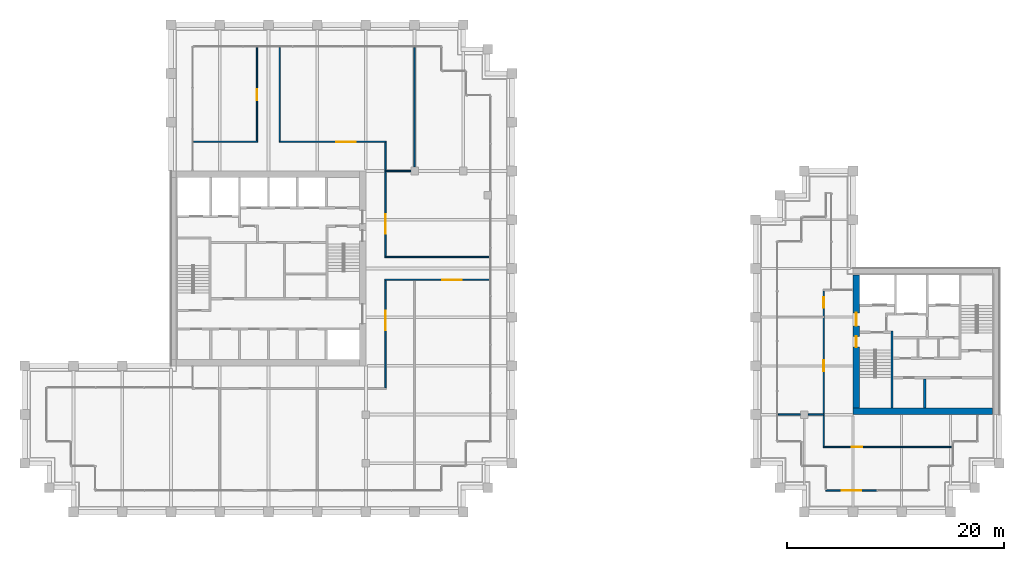
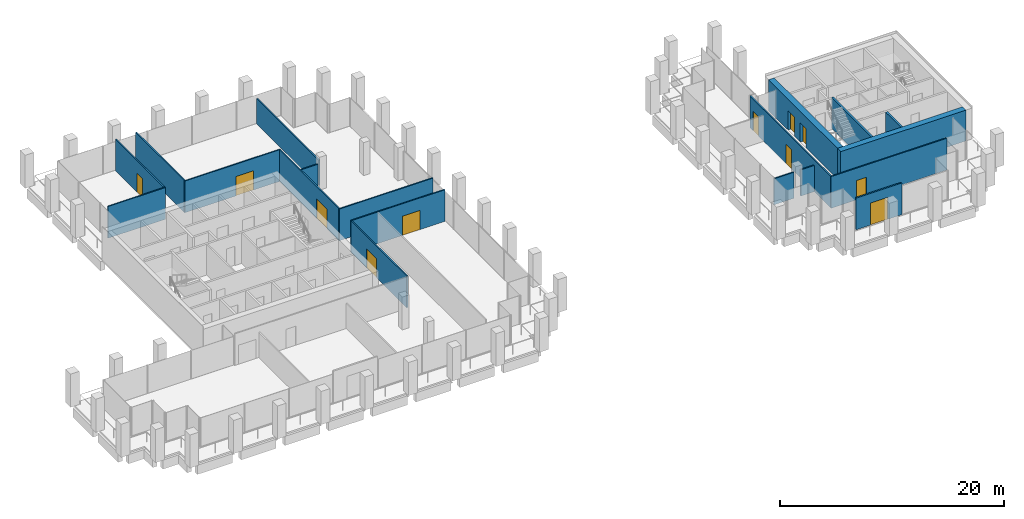
# One storey, part 37 of 40: 19 walls, 11 doors, 11 openings.
"""IFC4 building model written with IfcOpenShell, lengths in metres."""

from ifc_helpers import new_model, si_unit, direction, frame, frame_2d, origin, place, context, subcontext, project, spatial, rectangle, extrude, material, layer, layer_set, type_object, element, fill, save


model = new_model("IFC4")

# Units and contexts
model_context = context("Model", 3, precision=1e-05, world=origin(), true_north=direction((0.0, 1.0)))
body_context = subcontext(model_context, "Body", "Model", "MODEL_VIEW")
ifc_project = project(units=[si_unit("LENGTHUNIT", "METRE"), si_unit("AREAUNIT", "SQUARE_METRE"), si_unit("VOLUMEUNIT", "CUBIC_METRE"), si_unit("PLANEANGLEUNIT", "RADIAN"), si_unit("MASSUNIT", "GRAM", prefix="KILO")], contexts=[model_context])

# Site, building, storey
site_placement = place(None, origin())
site = spatial("IfcSite", under=ifc_project, at=site_placement, CompositionType="ELEMENT")
building_placement = place(site_placement, origin())
building = spatial("IfcBuilding", under=site, at=building_placement, Name="Altepetl Exchange Towers", CompositionType="ELEMENT")
storey_placement = place(building_placement, frame((0.0, 0.0, 161.800048828125)))
storey = spatial("IfcBuildingStorey", under=building, at=storey_placement, Name="L40", CompositionType="ELEMENT", Elevation=161.800048828125)

# Wall
ifc_material_1 = material(Name="Concrete C70/85", Category="concrete")
ifc_layer_1 = layer(ifc_material_1, 0.60009765625)
ifc_layer_set_1 = layer_set([ifc_layer_1], Name="Concrete C70/85")
wall_type_1 = type_object("IfcWallType", Name="Core wall 600 reinforced concrete", PredefinedType="SHEAR", material=ifc_layer_set_1)
wall_1_placement = place(storey_placement, frame((103.5, 36.300048828125, 0.0)))
element("IfcWall", 1, at=wall_1_placement, inside=storey, type_object=wall_type_1, Name="wall:B:L40:K-coreS", PredefinedType="SHEAR", context=body_context, shape_type="SweptSolid", body=[
    extrude(rectangle(XDim=12.89990234375, YDim=0.60009765625, at=frame_2d((6.449951171875, 0.0))), origin(), (0.0, 0.0, 1.0), 3.349853515625),
])

# Wall, openings, doors
wall_2_placement = place(storey_placement, frame((103.800048828125, 36.60009765625, 0.0), z_axis=(0.0, 0.0, 1.0), x_axis=(0.0, 1.0, 0.0)))
wall_2 = element("IfcWall", 2, at=wall_2_placement, inside=storey, type_object=wall_type_1, Name="wall:B:L40:K-coreW", PredefinedType="SHEAR", context=body_context, shape_type="SweptSolid", body=[
    extrude(rectangle(XDim=12.2998046875, YDim=0.60009765625, at=frame_2d((6.14990234375, 0.0))), origin(), (0.0, 0.0, 1.0), 3.349853515625),
])
opening_1_placement = place(wall_2_placement, frame((7.60009765625, 0.0, 0.0)))
opening_1 = element("IfcOpeningElement", 3, at=opening_1_placement, cuts=wall_2, Name="Opening L40.B60", PredefinedType="OPENING", context=body_context, shape_type="SweptSolid", body=[
    extrude(rectangle(XDim=1.199951171875, YDim=2.10009765625, at=frame_2d((0.60009765625, 1.050048828125))), frame((0.0, 0.31005859375, 0.0), z_axis=(0.0, -1.0, 0.0), x_axis=(1.0, 0.0, 0.0)), (0.0, 0.0, 1.0), 0.6201171875),
])
opening_2_placement = place(wall_2_placement, frame((5.625, 0.0, 0.0)))
opening_2 = element("IfcOpeningElement", 4, at=opening_2_placement, cuts=wall_2, Name="Opening L40.B62", PredefinedType="OPENING", context=body_context, shape_type="SweptSolid", body=[
    extrude(rectangle(XDim=1.0, YDim=2.10009765625, at=frame_2d((0.5, 1.050048828125))), frame((0.0, 0.31005859375, 0.0), z_axis=(0.0, -1.0, 0.0), x_axis=(1.0, 0.0, 0.0)), (0.0, 0.0, 1.0), 0.6201171875),
])
ifc_material_2 = material(Name="Steel and timber fire door", Category="steel")
door_type_1 = type_object("IfcDoorType", Name="Fire door 1000 x 2100 stair and lobby", OperationType="SINGLE_SWING_LEFT", PredefinedType="DOOR", material=ifc_material_2)
door_1_placement = place(opening_2_placement, frame((1.0, 0.0, 0.0), x_axis=(-1.0, 0.0, 0.0)))
door_1 = element("IfcDoor", 5, at=door_1_placement, inside=storey, type_object=door_type_1, Name="door:B:L40:K-dS1x", OperationType="SINGLE_SWING_RIGHT", OverallHeight=2.10009765625, OverallWidth=1.0, PredefinedType="DOOR", context=body_context, shape_type="SweptSolid", body=[
    extrude(rectangle(XDim=1.0, YDim=2.10009765625, at=frame_2d((0.5, 1.050048828125))), frame((0.0, 0.02490234375, 0.0), z_axis=(0.0, -1.0, 0.0), x_axis=(1.0, 0.0, 0.0)), (0.0, 0.0, 1.0), 0.050048828125),
])
fill(opening_2, door_1)
door_type_2 = type_object("IfcDoorType", Name="Fire door 1200 x 2100 lobby entry", OperationType="SINGLE_SWING_LEFT", PredefinedType="DOOR", material=ifc_material_2)
door_2_placement = place(opening_1_placement, frame((1.199951171875, 0.0, 0.0), x_axis=(-1.0, 0.0, 0.0)))
door_2 = element("IfcDoor", 6, at=door_2_placement, inside=storey, type_object=door_type_2, Name="door:B:L40:K-dLNW", OperationType="SINGLE_SWING_RIGHT", OverallHeight=2.10009765625, OverallWidth=1.199951171875, PredefinedType="DOOR", context=body_context, shape_type="SweptSolid", body=[
    extrude(rectangle(XDim=1.199951171875, YDim=2.10009765625, at=frame_2d((0.60009765625, 1.050048828125))), frame((0.0, 0.02490234375, 0.0), z_axis=(0.0, -1.0, 0.0), x_axis=(1.0, 0.0, 0.0)), (0.0, 0.0, 1.0), 0.050048828125),
])
fill(opening_1, door_2)

# Wall, opening, door
ifc_material_3 = material(Name="Aluminium composite cladding", Category="aluminium")
ifc_layer_2 = layer(ifc_material_3, 0.14990234375)
ifc_layer_set_2 = layer_set([ifc_layer_2], Name="Aluminium composite cladding")
wall_type_2 = type_object("IfcWallType", Name="Infill wall 150 aluminium panel", PredefinedType="SOLIDWALL", material=ifc_layer_set_2)
wall_3_placement = place(storey_placement, frame((101.0, 29.0, 0.0)))
wall_3 = element("IfcWall", 7, at=wall_3_placement, inside=storey, type_object=wall_type_2, Name="Loggia door bay wall", PredefinedType="SOLIDWALL", context=body_context, shape_type="SweptSolid", body=[
    extrude(rectangle(XDim=4.71240234375, YDim=0.14990234375, at=frame_2d((2.356201171875, 0.0))), origin(), (0.0, 0.0, 1.0), 3.449951171875),
])
opening_3_placement = place(wall_3_placement, frame((1.456298828125, 0.0, 0.0)))
opening_3 = element("IfcOpeningElement", 8, at=opening_3_placement, cuts=wall_3, Name="Opening L40.B90", PredefinedType="OPENING", context=body_context, shape_type="SweptSolid", body=[
    extrude(rectangle(XDim=1.800048828125, YDim=2.39990234375, at=frame_2d((0.89990234375, 1.199951171875))), frame((0.0, 0.0849609375, 0.0), z_axis=(0.0, -1.0, 0.0), x_axis=(1.0, 0.0, 0.0)), (0.0, 0.0, 1.0), 0.169921875),
])
ifc_material_4 = material(Name="Aluminium 6063-T6 and glass", Category="aluminium")
door_type_3 = type_object("IfcDoorType", Name="Glazed door pair 1800x2400", OperationType="DOUBLE_DOOR_DOUBLE_SWING", PredefinedType="NOTDEFINED", material=ifc_material_4)
door_3_placement = place(opening_3_placement, frame((1.800048828125, 0.0, 0.0), x_axis=(-1.0, 0.0, 0.0)))
door_3 = element("IfcDoor", 9, at=door_3_placement, inside=storey, type_object=door_type_3, Name="Loggia door", OperationType="DOUBLE_DOOR_DOUBLE_SWING", OverallHeight=2.39990234375, OverallWidth=1.800048828125, PredefinedType="NOTDEFINED", context=body_context, shape_type="SweptSolid", body=[
    extrude(rectangle(XDim=1.800048828125, YDim=2.39990234375, at=frame_2d((0.89990234375, 1.199951171875))), frame((0.0, 0.02490234375, 0.0), z_axis=(0.0, -1.0, 0.0), x_axis=(1.0, 0.0, 0.0)), (0.0, 0.0, 1.0), 0.050048828125),
])
fill(opening_3, door_3)

ifc_material_5 = material(Name="Gypsum board on steel studs", Category="steel")
ifc_layer_3 = layer(ifc_material_5, 0.125)
ifc_layer_set_3 = layer_set([ifc_layer_3], Name="Gypsum board on steel studs")
wall_type_3 = type_object("IfcWallType", Name="Partition 125 gypsum board on steel studs", PredefinedType="PARTITIONING", material=ifc_layer_set_3)
wall_4_placement = place(storey_placement, frame((60.237548828125, 48.449951171875, 0.0)))
wall_4 = element("IfcWall", 10, at=wall_4_placement, inside=storey, type_object=wall_type_3, Name="wall:A:L40:P02", PredefinedType="PARTITIONING", context=body_context, shape_type="SweptSolid", body=[
    extrude(rectangle(XDim=9.662353515625, YDim=0.125, at=frame_2d((4.8310546875, 0.0))), origin(), (0.0, 0.0, 1.0), 3.449951171875),
])
opening_4_placement = place(wall_4_placement, frame((5.3125, 0.0, 0.0)))
opening_4 = element("IfcOpeningElement", 11, at=opening_4_placement, cuts=wall_4, Name="Opening L40.A04", PredefinedType="OPENING", context=body_context, shape_type="SweptSolid", body=[
    extrude(rectangle(XDim=1.800048828125, YDim=2.10009765625, at=frame_2d((0.89990234375, 1.050048828125))), frame((0.0, 0.072509765625, 0.0), z_axis=(0.0, -1.0, 0.0), x_axis=(1.0, 0.0, 0.0)), (0.0, 0.0, 1.0), 0.14501953125),
])
door_type_4 = type_object("IfcDoorType", Name="Fire door 1800 x 2100 double leaf", OperationType="DOUBLE_DOOR_SINGLE_SWING", PredefinedType="DOOR", material=ifc_material_2)
door_4_placement = place(opening_4_placement, frame((1.800048828125, 0.0, 0.0), x_axis=(-1.0, 0.0, 0.0)))
door_4 = element("IfcDoor", 12, at=door_4_placement, inside=storey, type_object=door_type_4, Name="door:A:L40:04", OperationType="DOUBLE_DOOR_SINGLE_SWING", OverallHeight=2.10009765625, OverallWidth=1.800048828125, PredefinedType="DOOR", context=body_context, shape_type="SweptSolid", body=[
    extrude(rectangle(XDim=1.800048828125, YDim=2.10009765625, at=frame_2d((0.89990234375, 1.050048828125))), frame((0.0, 0.02490234375, 0.0), z_axis=(0.0, -1.0, 0.0), x_axis=(1.0, 0.0, 0.0)), (0.0, 0.0, 1.0), 0.050048828125),
])
fill(opening_4, door_4)

# Walls
wall_5_placement = place(storey_placement, frame((60.237548828125, 50.550048828125, 0.0)))
element("IfcWall", 13, at=wall_5_placement, inside=storey, type_object=wall_type_3, Name="wall:A:L40:P03", PredefinedType="PARTITIONING", context=body_context, shape_type="SweptSolid", body=[
    extrude(rectangle(XDim=9.662353515625, YDim=0.125, at=frame_2d((4.8310546875, 0.0))), origin(), (0.0, 0.0, 1.0), 3.449951171875),
])
wall_6_placement = place(storey_placement, frame((60.300048828125, 58.5, 0.0)))
element("IfcWall", 14, at=wall_6_placement, inside=storey, type_object=wall_type_3, Name="wall:A:L40:P04", PredefinedType="PARTITIONING", context=body_context, shape_type="SweptSolid", body=[
    extrude(rectangle(XDim=2.349853515625, YDim=0.125, at=frame_2d((1.1748046875, 0.0))), origin(), (0.0, 0.0, 1.0), 2.676025390625),
])
wall_7_placement = place(storey_placement, frame((42.60009765625, 61.199951171875, 0.0)))
element("IfcWall", 15, at=wall_7_placement, inside=storey, type_object=wall_type_3, Name="wall:A:L40:P05", PredefinedType="PARTITIONING", context=body_context, shape_type="SweptSolid", body=[
    extrude(rectangle(XDim=5.912353515625, YDim=0.125, at=frame_2d((2.9560546875, 0.0))), origin(), (0.0, 0.0, 1.0), 3.449951171875),
])

# Wall, opening, door
wall_8_placement = place(storey_placement, frame((50.487548828125, 61.199951171875, 0.0)))
wall_8 = element("IfcWall", 16, at=wall_8_placement, inside=storey, type_object=wall_type_3, Name="wall:A:L40:P06", PredefinedType="PARTITIONING", context=body_context, shape_type="SweptSolid", body=[
    extrude(rectangle(XDim=9.875, YDim=0.125, at=frame_2d((4.9375, 0.0))), origin(), (0.0, 0.0, 1.0), 3.449951171875),
])
opening_5_placement = place(wall_8_placement, frame((5.271484375, 0.0, 0.0)))
opening_5 = element("IfcOpeningElement", 17, at=opening_5_placement, cuts=wall_8, Name="Opening L40.A06", PredefinedType="OPENING", context=body_context, shape_type="SweptSolid", body=[
    extrude(rectangle(XDim=1.800048828125, YDim=2.10009765625, at=frame_2d((0.89990234375, 1.050048828125))), frame((0.0, 0.072509765625, 0.0), z_axis=(0.0, -1.0, 0.0), x_axis=(1.0, 0.0, 0.0)), (0.0, 0.0, 1.0), 0.14501953125),
])
door_5_placement = place(opening_5_placement, origin())
door_5 = element("IfcDoor", 18, at=door_5_placement, inside=storey, type_object=door_type_4, Name="door:A:L40:06", OperationType="DOUBLE_DOOR_SINGLE_SWING", OverallHeight=2.10009765625, OverallWidth=1.800048828125, PredefinedType="DOOR", context=body_context, shape_type="SweptSolid", body=[
    extrude(rectangle(XDim=1.800048828125, YDim=2.10009765625, at=frame_2d((0.89990234375, 1.050048828125))), frame((0.0, 0.02490234375, 0.0), z_axis=(0.0, -1.0, 0.0), x_axis=(1.0, 0.0, 0.0)), (0.0, 0.0, 1.0), 0.050048828125),
])
fill(opening_5, door_5)

wall_9_placement = place(storey_placement, frame((48.449951171875, 61.262451171875, 0.0), z_axis=(0.0, 0.0, 1.0), x_axis=(0.0, 1.0, 0.0)))
wall_9 = element("IfcWall", 19, at=wall_9_placement, inside=storey, type_object=wall_type_3, Name="wall:A:L40:P08", PredefinedType="PARTITIONING", context=body_context, shape_type="SweptSolid", body=[
    extrude(rectangle(XDim=8.637451171875, YDim=0.125, at=frame_2d((4.31884765625, 0.0))), origin(), (0.0, 0.0, 1.0), 3.449951171875),
])
opening_6_placement = place(wall_9_placement, frame((3.78759765625, 0.0, 0.0)))
opening_6 = element("IfcOpeningElement", 20, at=opening_6_placement, cuts=wall_9, Name="Opening L40.A07", PredefinedType="OPENING", context=body_context, shape_type="SweptSolid", body=[
    extrude(rectangle(XDim=1.0, YDim=2.10009765625, at=frame_2d((0.5, 1.050048828125))), frame((0.0, 0.072509765625, 0.0), z_axis=(0.0, -1.0, 0.0), x_axis=(1.0, 0.0, 0.0)), (0.0, 0.0, 1.0), 0.14501953125),
])
door_type_5 = type_object("IfcDoorType", Name="Fire door 1000 x 2100 single leaf", OperationType="SINGLE_SWING_LEFT", PredefinedType="DOOR", material=ifc_material_2)
door_6_placement = place(opening_6_placement, origin())
door_6 = element("IfcDoor", 21, at=door_6_placement, inside=storey, type_object=door_type_5, Name="door:A:L40:07", OperationType="SINGLE_SWING_RIGHT", OverallHeight=2.10009765625, OverallWidth=1.0, PredefinedType="DOOR", context=body_context, shape_type="SweptSolid", body=[
    extrude(rectangle(XDim=1.0, YDim=2.10009765625, at=frame_2d((0.5, 1.050048828125))), frame((0.0, 0.02490234375, 0.0), z_axis=(0.0, -1.0, 0.0), x_axis=(1.0, 0.0, 0.0)), (0.0, 0.0, 1.0), 0.050048828125),
])
fill(opening_6, door_6)

# Wall
wall_10_placement = place(storey_placement, frame((50.550048828125, 61.262451171875, 0.0), z_axis=(0.0, 0.0, 1.0), x_axis=(0.0, 1.0, 0.0)))
element("IfcWall", 22, at=wall_10_placement, inside=storey, type_object=wall_type_3, Name="wall:A:L40:P09", PredefinedType="PARTITIONING", context=body_context, shape_type="SweptSolid", body=[
    extrude(rectangle(XDim=8.637451171875, YDim=0.125, at=frame_2d((4.31884765625, 0.0))), origin(), (0.0, 0.0, 1.0), 3.449951171875),
])

# Wall, opening, door
wall_11_placement = place(storey_placement, frame((60.300048828125, 38.46240234375, 0.0), z_axis=(0.0, 0.0, 1.0), x_axis=(0.0, 1.0, 0.0)))
wall_11 = element("IfcWall", 23, at=wall_11_placement, inside=storey, type_object=wall_type_3, Name="wall:A:L40:P11", PredefinedType="PARTITIONING", context=body_context, shape_type="SweptSolid", body=[
    extrude(rectangle(XDim=9.925048828125, YDim=0.125, at=frame_2d((4.96240234375, 0.0))), origin(), (0.0, 0.0, 1.0), 3.449951171875),
])
opening_7_placement = place(wall_11_placement, frame((5.348388671875, 0.0, 0.0)))
opening_7 = element("IfcOpeningElement", 24, at=opening_7_placement, cuts=wall_11, Name="Opening L40.A03", PredefinedType="OPENING", context=body_context, shape_type="SweptSolid", body=[
    extrude(rectangle(XDim=1.800048828125, YDim=2.10009765625, at=frame_2d((0.89990234375, 1.050048828125))), frame((0.0, 0.072509765625, 0.0), z_axis=(0.0, -1.0, 0.0), x_axis=(1.0, 0.0, 0.0)), (0.0, 0.0, 1.0), 0.14501953125),
])
door_7_placement = place(opening_7_placement, frame((1.800048828125, 0.0, 0.0), x_axis=(-1.0, 0.0, 0.0)))
door_7 = element("IfcDoor", 25, at=door_7_placement, inside=storey, type_object=door_type_4, Name="door:A:L40:03", OperationType="DOUBLE_DOOR_SINGLE_SWING", OverallHeight=2.10009765625, OverallWidth=1.800048828125, PredefinedType="DOOR", context=body_context, shape_type="SweptSolid", body=[
    extrude(rectangle(XDim=1.800048828125, YDim=2.10009765625, at=frame_2d((0.89990234375, 1.050048828125))), frame((0.0, 0.02490234375, 0.0), z_axis=(0.0, -1.0, 0.0), x_axis=(1.0, 0.0, 0.0)), (0.0, 0.0, 1.0), 0.050048828125),
])
fill(opening_7, door_7)

wall_12_placement = place(storey_placement, frame((60.300048828125, 50.612548828125, 0.0), z_axis=(0.0, 0.0, 1.0), x_axis=(0.0, 1.0, 0.0)))
wall_12 = element("IfcWall", 26, at=wall_12_placement, inside=storey, type_object=wall_type_3, Name="wall:A:L40:P12", PredefinedType="PARTITIONING", context=body_context, shape_type="SweptSolid", body=[
    extrude(rectangle(XDim=10.52490234375, YDim=0.125, at=frame_2d((5.262451171875, 0.0))), origin(), (0.0, 0.0, 1.0), 3.449951171875),
])
opening_8_placement = place(wall_12_placement, frame((2.093505859375, 0.0, 0.0)))
opening_8 = element("IfcOpeningElement", 27, at=opening_8_placement, cuts=wall_12, Name="Opening L40.A05", PredefinedType="OPENING", context=body_context, shape_type="SweptSolid", body=[
    extrude(rectangle(XDim=1.800048828125, YDim=2.10009765625, at=frame_2d((0.89990234375, 1.050048828125))), frame((0.0, 0.072509765625, 0.0), z_axis=(0.0, -1.0, 0.0), x_axis=(1.0, 0.0, 0.0)), (0.0, 0.0, 1.0), 0.14501953125),
])
door_8_placement = place(opening_8_placement, frame((1.800048828125, 0.0, 0.0), x_axis=(-1.0, 0.0, 0.0)))
door_8 = element("IfcDoor", 28, at=door_8_placement, inside=storey, type_object=door_type_4, Name="door:A:L40:05", OperationType="DOUBLE_DOOR_SINGLE_SWING", OverallHeight=2.10009765625, OverallWidth=1.800048828125, PredefinedType="DOOR", context=body_context, shape_type="SweptSolid", body=[
    extrude(rectangle(XDim=1.800048828125, YDim=2.10009765625, at=frame_2d((0.89990234375, 1.050048828125))), frame((0.0, 0.02490234375, 0.0), z_axis=(0.0, -1.0, 0.0), x_axis=(1.0, 0.0, 0.0)), (0.0, 0.0, 1.0), 0.050048828125),
])
fill(opening_8, door_8)

# Wall
wall_13_placement = place(storey_placement, frame((63.0, 58.85009765625, 0.0), z_axis=(0.0, 0.0, 1.0), x_axis=(0.0, 1.0, 0.0)))
element("IfcWall", 29, at=wall_13_placement, inside=storey, type_object=wall_type_3, Name="wall:A:L40:P14", PredefinedType="PARTITIONING", context=body_context, shape_type="SweptSolid", body=[
    extrude(rectangle(XDim=11.0498046875, YDim=0.125, at=frame_2d((5.52490234375, 0.0))), origin(), (0.0, 0.0, 1.0), 2.765869140625),
])

# Wall, opening, door
wall_14_placement = place(storey_placement, frame((100.737548828125, 33.0, 0.0)))
wall_14 = element("IfcWall", 30, at=wall_14_placement, inside=storey, type_object=wall_type_3, Name="wall:B:L40:P01", PredefinedType="PARTITIONING", context=body_context, shape_type="SweptSolid", body=[
    extrude(rectangle(XDim=11.912353515625, YDim=0.125, at=frame_2d((5.9560546875, 0.0))), origin(), (0.0, 0.0, 1.0), 3.449951171875),
])
opening_9_placement = place(wall_14_placement, frame((2.639404296875, 0.0, 0.0)))
opening_9 = element("IfcOpeningElement", 31, at=opening_9_placement, cuts=wall_14, Name="Opening L40.B02", PredefinedType="OPENING", context=body_context, shape_type="SweptSolid", body=[
    extrude(rectangle(XDim=1.0, YDim=2.10009765625, at=frame_2d((0.5, 1.050048828125))), frame((0.0, 0.072509765625, 0.0), z_axis=(0.0, -1.0, 0.0), x_axis=(1.0, 0.0, 0.0)), (0.0, 0.0, 1.0), 0.14501953125),
])
door_9_placement = place(opening_9_placement, frame((1.0, 0.0, 0.0), x_axis=(-1.0, 0.0, 0.0)))
door_9 = element("IfcDoor", 32, at=door_9_placement, inside=storey, type_object=door_type_5, Name="door:B:L40:02", OperationType="SINGLE_SWING_LEFT", OverallHeight=2.10009765625, OverallWidth=1.0, PredefinedType="DOOR", context=body_context, shape_type="SweptSolid", body=[
    extrude(rectangle(XDim=1.0, YDim=2.10009765625, at=frame_2d((0.5, 1.050048828125))), frame((0.0, 0.02490234375, 0.0), z_axis=(0.0, -1.0, 0.0), x_axis=(1.0, 0.0, 0.0)), (0.0, 0.0, 1.0), 0.050048828125),
])
fill(opening_9, door_9)

# Walls
wall_15_placement = place(storey_placement, frame((96.60009765625, 36.0, 0.0)))
element("IfcWall", 33, at=wall_15_placement, inside=storey, type_object=wall_type_3, Name="wall:B:L40:P02", PredefinedType="PARTITIONING", context=body_context, shape_type="SweptSolid", body=[
    extrude(rectangle(XDim=2.0498046875, YDim=0.125, at=frame_2d((1.02490234375, 0.0))), origin(), (0.0, 0.0, 1.0), 2.842041015625),
])
wall_16_placement = place(storey_placement, frame((99.35009765625, 36.0, 0.0)))
element("IfcWall", 34, at=wall_16_placement, inside=storey, type_object=wall_type_3, Name="wall:B:L40:P03", PredefinedType="PARTITIONING", context=body_context, shape_type="SweptSolid", body=[
    extrude(rectangle(XDim=1.449951171875, YDim=0.125, at=frame_2d((0.72509765625, 0.0))), origin(), (0.0, 0.0, 1.0), 2.842041015625),
])

# Wall, openings, doors
wall_17_placement = place(storey_placement, frame((100.800048828125, 33.0625, 0.0), z_axis=(0.0, 0.0, 1.0), x_axis=(0.0, 1.0, 0.0)))
wall_17 = element("IfcWall", 35, at=wall_17_placement, inside=storey, type_object=wall_type_3, Name="wall:B:L40:P06", PredefinedType="PARTITIONING", context=body_context, shape_type="SweptSolid", body=[
    extrude(rectangle(XDim=14.375, YDim=0.125, at=frame_2d((7.1875, 0.0))), origin(), (0.0, 0.0, 1.0), 3.449951171875),
])
opening_10_placement = place(wall_17_placement, frame((6.9375, 0.0, 0.0)))
opening_10 = element("IfcOpeningElement", 36, at=opening_10_placement, cuts=wall_17, Name="Opening L40.B01", PredefinedType="OPENING", context=body_context, shape_type="SweptSolid", body=[
    extrude(rectangle(XDim=1.0, YDim=2.10009765625, at=frame_2d((0.5, 1.050048828125))), frame((0.0, 0.072509765625, 0.0), z_axis=(0.0, -1.0, 0.0), x_axis=(1.0, 0.0, 0.0)), (0.0, 0.0, 1.0), 0.14501953125),
])
opening_11_placement = place(wall_17_placement, frame((12.79248046875, 0.0, 0.0)))
opening_11 = element("IfcOpeningElement", 37, at=opening_11_placement, cuts=wall_17, Name="Opening L40.B03", PredefinedType="OPENING", context=body_context, shape_type="SweptSolid", body=[
    extrude(rectangle(XDim=1.0, YDim=2.10009765625, at=frame_2d((0.5, 1.050048828125))), frame((0.0, 0.072509765625, 0.0), z_axis=(0.0, -1.0, 0.0), x_axis=(1.0, 0.0, 0.0)), (0.0, 0.0, 1.0), 0.14501953125),
])
door_10_placement = place(opening_10_placement, origin())
door_10 = element("IfcDoor", 38, at=door_10_placement, inside=storey, type_object=door_type_5, Name="door:B:L40:01", OperationType="SINGLE_SWING_RIGHT", OverallHeight=2.10009765625, OverallWidth=1.0, PredefinedType="DOOR", context=body_context, shape_type="SweptSolid", body=[
    extrude(rectangle(XDim=1.0, YDim=2.10009765625, at=frame_2d((0.5, 1.050048828125))), frame((0.0, 0.02490234375, 0.0), z_axis=(0.0, -1.0, 0.0), x_axis=(1.0, 0.0, 0.0)), (0.0, 0.0, 1.0), 0.050048828125),
])
fill(opening_10, door_10)
door_11_placement = place(opening_11_placement, origin())
door_11 = element("IfcDoor", 39, at=door_11_placement, inside=storey, type_object=door_type_5, Name="door:B:L40:03", OperationType="SINGLE_SWING_RIGHT", OverallHeight=2.10009765625, OverallWidth=1.0, PredefinedType="DOOR", context=body_context, shape_type="SweptSolid", body=[
    extrude(rectangle(XDim=1.0, YDim=2.10009765625, at=frame_2d((0.5, 1.050048828125))), frame((0.0, 0.02490234375, 0.0), z_axis=(0.0, -1.0, 0.0), x_axis=(1.0, 0.0, 0.0)), (0.0, 0.0, 1.0), 0.050048828125),
])
fill(opening_11, door_11)

# Walls
ifc_layer_4 = layer(ifc_material_1, 0.199951171875)
ifc_layer_set_4 = layer_set([ifc_layer_4], Name="Concrete C70/85")
wall_type_4 = type_object("IfcWallType", Name="Shear wall 200 reinforced concrete", PredefinedType="SHEAR", material=ifc_layer_set_4)
wall_18_placement = place(storey_placement, frame((110.13330078125, 36.60009765625, 0.0), z_axis=(0.0, 0.0, 1.0), x_axis=(0.0, 1.0, 0.0)))
element("IfcWall", 40, at=wall_18_placement, inside=storey, type_object=wall_type_4, Name="wall:B:L40:K-divS1", PredefinedType="SHEAR", context=body_context, shape_type="SweptSolid", body=[
    extrude(rectangle(XDim=2.699951171875, YDim=0.199951171875, at=frame_2d((1.35009765625, 0.0))), origin(), (0.0, 0.0, 1.0), 3.349853515625),
])
ifc_material_6 = material(Name="Concrete C40/50", Category="concrete")
ifc_layer_5 = layer(ifc_material_6, 0.199951171875)
ifc_layer_set_5 = layer_set([ifc_layer_5], Name="Concrete C40/50")
wall_type_5 = type_object("IfcWallType", Name="Stair wall 200 reinforced concrete", PredefinedType="SHEAR", material=ifc_layer_set_5)
wall_19_placement = place(storey_placement, frame((107.10009765625, 36.60009765625, 0.0), z_axis=(0.0, 0.0, 1.0), x_axis=(0.0, 1.0, 0.0)))
element("IfcWall", 41, at=wall_19_placement, inside=storey, type_object=wall_type_5, Name="wall:B:L40:K-stS1E", PredefinedType="SHEAR", context=body_context, shape_type="SweptSolid", body=[
    extrude(rectangle(XDim=7.099853515625, YDim=0.199951171875, at=frame_2d((3.5498046875, 0.0))), origin(), (0.0, 0.0, 1.0), 3.349853515625),
])

save(model, "model.ifc")
